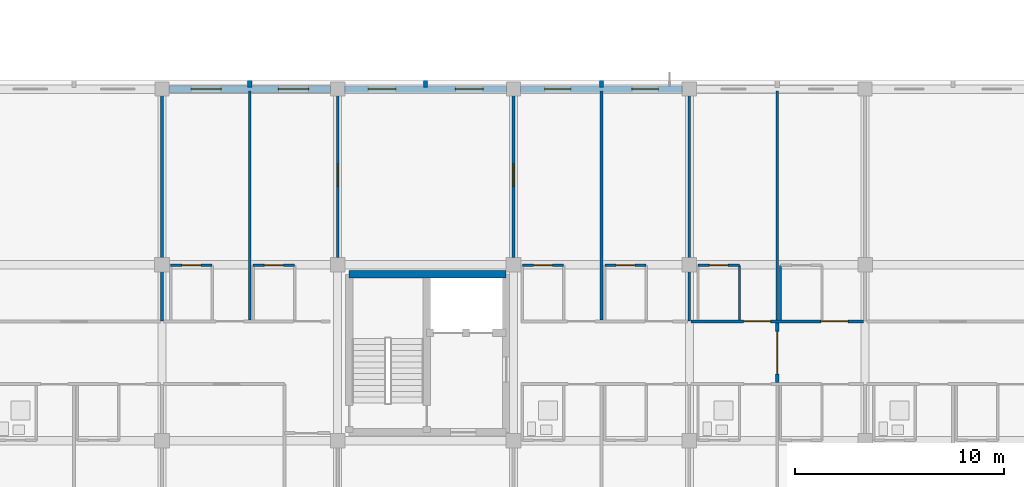
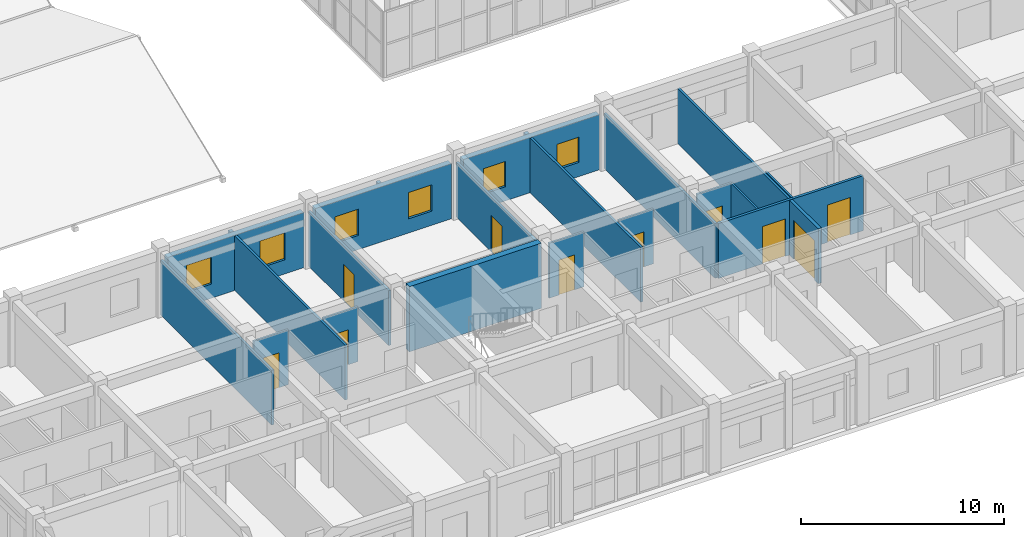
# One storey, part 109 of 140: 23 walls, 10 doors, 6 windows, 16 openings.
"""IFC4 building model written with IfcOpenShell, lengths in metres."""

from ifc_helpers import new_model, si_unit, direction, frame, frame_2d, origin, place, context, subcontext, project, spatial, rectangle, extrude, material, layer, layer_set, type_object, element, fill, save


model = new_model("IFC4")

# Units and contexts
model_context = context("Model", 3, precision=1e-05, world=origin(), true_north=direction((0.0, 1.0)))
body_context = subcontext(model_context, "Body", "Model", "MODEL_VIEW")
ifc_project = project(units=[si_unit("LENGTHUNIT", "METRE"), si_unit("AREAUNIT", "SQUARE_METRE"), si_unit("VOLUMEUNIT", "CUBIC_METRE"), si_unit("PLANEANGLEUNIT", "RADIAN"), si_unit("MASSUNIT", "GRAM", prefix="KILO")], contexts=[model_context])

# Site, building, storey
site_placement = place(None, origin())
site = spatial("IfcSite", under=ifc_project, at=site_placement, CompositionType="ELEMENT")
building_placement = place(site_placement, origin())
building = spatial("IfcBuilding", under=site, at=building_placement, Name="Trelvath General Hospital", CompositionType="ELEMENT")
storey_placement = place(building_placement, frame((0.0, 0.0, 16.199951171875)))
storey = spatial("IfcBuildingStorey", under=building, at=storey_placement, Name="L04", CompositionType="ELEMENT", Elevation=16.199951171875)

# Walls
ifc_material_1 = material(Name="Precast concrete C40/50", Category="concrete")
ifc_layer_1 = layer(ifc_material_1, 0.199951171875)
ifc_layer_set_1 = layer_set([ifc_layer_1], Name="Precast concrete C40/50")
wall_type_1 = type_object("IfcWallType", Name="BriseSoleilRib 200", PredefinedType="ELEMENTEDWALL", material=ifc_layer_set_1)
for number, where, z_axis, x_axis, name in (
    (1, (37.800048828125, 25.27490234375, 0.0), (0.0, 0.0, 1.0), (0.0, 1.0, 0.0), "Precast Concrete Brise-Soleil Rib Fin L04-317"),
    (2, (46.199951171875, 25.27490234375, 0.0), (0.0, 0.0, 1.0), (0.0, 1.0, 0.0), "Precast Concrete Brise-Soleil Rib Fin L04-320"),
    (3, (54.60009765625, 25.27490234375, 0.0), (0.0, 0.0, 1.0), (0.0, 1.0, 0.0), "Precast Concrete Brise-Soleil Rib Fin L04-323"),
):
    element("IfcWall", number, at=place(storey_placement, frame(where, z_axis=z_axis, x_axis=x_axis)), inside=storey, type_object=wall_type_1, Name=name, PredefinedType="ELEMENTEDWALL", context=body_context, shape_type="SweptSolid", body=[
        extrude(rectangle(XDim=0.340087890625, YDim=0.199951171875, at=frame_2d((0.169921875, 0.0))), origin(), (0.0, 0.0, 1.0), 3.300048828125),
    ])

# Wall, openings, doors
ifc_material_2 = material(Name="Gypsum acoustic steel-stud partition", Category="steel")
ifc_layer_2 = layer(ifc_material_2, 0.14990234375)
ifc_layer_set_2 = layer_set([ifc_layer_2], Name="Gypsum acoustic steel-stud partition")
wall_type_2 = type_object("IfcWallType", Name="ClinicalPartition 150", PredefinedType="PARTITIONING", material=ifc_layer_set_2)
wall_1_placement = place(storey_placement, frame((67.1201171875, 14.10009765625, 0.0), z_axis=(0.0, 0.0, 1.0), x_axis=(-1.0, 0.0, 0.0)))
wall_1 = element("IfcWall", 4, at=wall_1_placement, inside=storey, type_object=wall_type_2, Name="Corridor Partition N L04-1474", PredefinedType="PARTITIONING", context=body_context, shape_type="SweptSolid", body=[
    extrude(rectangle(XDim=8.240234375, YDim=0.14990234375, at=frame_2d((4.1201171875, 0.0))), origin(), (0.0, 0.0, 1.0), 3.300048828125),
])
opening_1_placement = place(wall_1_placement, frame((0.72998046875, 0.0, 0.0)))
opening_1 = element("IfcOpeningElement", 5, at=opening_1_placement, cuts=wall_1, Name="Opening D-4-1026", PredefinedType="OPENING", context=body_context, shape_type="SweptSolid", body=[
    extrude(rectangle(XDim=1.300048828125, YDim=2.25, at=frame_2d((0.64990234375, 1.125))), frame((0.0, 0.0849609375, 0.0), z_axis=(0.0, -1.0, 0.0), x_axis=(1.0, 0.0, 0.0)), (0.0, 0.0, 1.0), 0.169921875),
])
opening_2_placement = place(wall_1_placement, frame((4.429931640625, 0.0, 0.0)))
opening_2 = element("IfcOpeningElement", 6, at=opening_2_placement, cuts=wall_1, Name="Opening D-4-1027", PredefinedType="OPENING", context=body_context, shape_type="SweptSolid", body=[
    extrude(rectangle(XDim=1.300048828125, YDim=2.25, at=frame_2d((0.64990234375, 1.125))), frame((0.0, 0.0849609375, 0.0), z_axis=(0.0, -1.0, 0.0), x_axis=(1.0, 0.0, 0.0)), (0.0, 0.0, 1.0), 0.169921875),
])
ifc_material_3 = material(Name="Hospital bed-leaf timber door", Category="wood")
door_type_1 = type_object("IfcDoorType", Name="Door PatientBed 1300x2250", OperationType="NOTDEFINED", PredefinedType="DOOR", material=ifc_material_3)
door_1_placement = place(opening_1_placement, origin())
door_1 = element("IfcDoor", 7, at=door_1_placement, inside=storey, type_object=door_type_1, Name="Patient Room Door N L04-1026", OperationType="SINGLE_SWING_LEFT", OverallHeight=2.25, OverallWidth=1.300048828125, PredefinedType="DOOR", context=body_context, shape_type="SweptSolid", body=[
    extrude(rectangle(XDim=1.300048828125, YDim=2.25, at=frame_2d((0.64990234375, 1.125))), frame((0.0, 0.02490234375, 0.0), z_axis=(0.0, -1.0, 0.0), x_axis=(1.0, 0.0, 0.0)), (0.0, 0.0, 1.0), 0.050048828125),
])
fill(opening_1, door_1)
door_2_placement = place(opening_2_placement, origin())
door_2 = element("IfcDoor", 8, at=door_2_placement, inside=storey, type_object=door_type_1, Name="Patient Room Door N L04-1027", OperationType="SINGLE_SWING_LEFT", OverallHeight=2.25, OverallWidth=1.300048828125, PredefinedType="DOOR", context=body_context, shape_type="SweptSolid", body=[
    extrude(rectangle(XDim=1.300048828125, YDim=2.25, at=frame_2d((0.64990234375, 1.125))), frame((0.0, 0.02490234375, 0.0), z_axis=(0.0, -1.0, 0.0), x_axis=(1.0, 0.0, 0.0)), (0.0, 0.0, 1.0), 0.050048828125),
])
fill(opening_2, door_2)

# Wall
ifc_material_4 = material(Name="Concrete C40/50", Category="concrete")
ifc_layer_3 = layer(ifc_material_4, 0.35009765625)
ifc_layer_set_3 = layer_set([ifc_layer_3], Name="Concrete C40/50")
wall_type_3 = type_object("IfcWallType", Name="CoreShearWall 350", PredefinedType="SHEAR", material=ifc_layer_set_3)
wall_2_placement = place(storey_placement, frame((42.550048828125, 16.35009765625, 0.0), z_axis=(0.0, 0.0, 1.0), x_axis=(1.0, 0.0, 0.0)))
element("IfcWall", 9, at=wall_2_placement, inside=storey, type_object=wall_type_3, Name="Core Shear Wall C4 N L04", PredefinedType="SHEAR", context=body_context, shape_type="SweptSolid", body=[
    extrude(rectangle(XDim=7.5, YDim=0.35009765625, at=frame_2d((3.75, 0.0))), origin(), (0.0, 0.0, 1.0), 3.920166015625),
])

# Wall, opening, door
ifc_material_5 = material(Name="Moisture-resistant tile partition")
ifc_layer_4 = layer(ifc_material_5, 0.110107421875)
ifc_layer_set_4 = layer_set([ifc_layer_4], Name="Moisture-resistant tile partition")
wall_type_4 = type_object("IfcWallType", Name="EnSuiteWetWall 110", PredefinedType="PARTITIONING", material=ifc_layer_set_4)
wall_3_placement = place(storey_placement, frame((34.02001953125, 16.780029296875, 0.0), z_axis=(0.0, 0.0, 1.0), x_axis=(1.0, 0.0, 0.0)))
wall_3 = element("IfcWall", 10, at=wall_3_placement, inside=storey, type_object=wall_type_4, Name="En-Suite Bathroom N Partition L04-1439", PredefinedType="PARTITIONING", context=body_context, shape_type="SweptSolid", body=[
    extrude(rectangle(XDim=1.97998046875, YDim=0.110107421875, at=frame_2d((0.989990234375, 0.0))), origin(), (0.0, 0.0, 1.0), 3.300048828125),
])
opening_3_placement = place(wall_3_placement, frame((0.5400390625, 0.0, 0.0)))
opening_3 = element("IfcOpeningElement", 11, at=opening_3_placement, cuts=wall_3, Name="Opening D-4-1008", PredefinedType="OPENING", context=body_context, shape_type="SweptSolid", body=[
    extrude(rectangle(XDim=0.89990234375, YDim=2.10009765625, at=frame_2d((0.449951171875, 1.050048828125))), frame((0.0, 0.06494140625, 0.0), z_axis=(0.0, -1.0, 0.0), x_axis=(1.0, 0.0, 0.0)), (0.0, 0.0, 1.0), 0.130126953125),
])
ifc_material_6 = material(Name="Moisture-sealed timber leaf", Category="wood")
door_type_2 = type_object("IfcDoorType", Name="Door EnSuite 900x2100", OperationType="NOTDEFINED", PredefinedType="DOOR", material=ifc_material_6)
door_3_placement = place(opening_3_placement, origin())
door_3 = element("IfcDoor", 12, at=door_3_placement, inside=storey, type_object=door_type_2, Name="En-Suite Bathroom N Door L04-1008", OperationType="SINGLE_SWING_RIGHT", OverallHeight=2.10009765625, OverallWidth=0.89990234375, PredefinedType="DOOR", context=body_context, shape_type="SweptSolid", body=[
    extrude(rectangle(XDim=0.89990234375, YDim=2.10009765625, at=frame_2d((0.449951171875, 1.050048828125))), frame((0.0, 0.02490234375, 0.0), z_axis=(0.0, -1.0, 0.0), x_axis=(1.0, 0.0, 0.0)), (0.0, 0.0, 1.0), 0.050048828125),
])
fill(opening_3, door_3)

wall_4_placement = place(storey_placement, frame((37.9599609375, 16.780029296875, 0.0), z_axis=(0.0, 0.0, 1.0), x_axis=(1.0, 0.0, 0.0)))
wall_4 = element("IfcWall", 13, at=wall_4_placement, inside=storey, type_object=wall_type_4, Name="En-Suite Bathroom N Partition L04-1442", PredefinedType="PARTITIONING", context=body_context, shape_type="SweptSolid", body=[
    extrude(rectangle(XDim=1.97998046875, YDim=0.110107421875, at=frame_2d((0.989990234375, 0.0))), origin(), (0.0, 0.0, 1.0), 3.300048828125),
])
opening_4_placement = place(wall_4_placement, frame((0.5400390625, 0.0, 0.0)))
opening_4 = element("IfcOpeningElement", 14, at=opening_4_placement, cuts=wall_4, Name="Opening D-4-1009", PredefinedType="OPENING", context=body_context, shape_type="SweptSolid", body=[
    extrude(rectangle(XDim=0.89990234375, YDim=2.10009765625, at=frame_2d((0.449951171875, 1.050048828125))), frame((0.0, 0.06494140625, 0.0), z_axis=(0.0, -1.0, 0.0), x_axis=(1.0, 0.0, 0.0)), (0.0, 0.0, 1.0), 0.130126953125),
])
door_4_placement = place(opening_4_placement, origin())
door_4 = element("IfcDoor", 15, at=door_4_placement, inside=storey, type_object=door_type_2, Name="En-Suite Bathroom N Door L04-1009", OperationType="SINGLE_SWING_LEFT", OverallHeight=2.10009765625, OverallWidth=0.89990234375, PredefinedType="DOOR", context=body_context, shape_type="SweptSolid", body=[
    extrude(rectangle(XDim=0.89990234375, YDim=2.10009765625, at=frame_2d((0.449951171875, 1.050048828125))), frame((0.0, 0.02490234375, 0.0), z_axis=(0.0, -1.0, 0.0), x_axis=(1.0, 0.0, 0.0)), (0.0, 0.0, 1.0), 0.050048828125),
])
fill(opening_4, door_4)

wall_5_placement = place(storey_placement, frame((50.820068359375, 16.780029296875, 0.0), z_axis=(0.0, 0.0, 1.0), x_axis=(1.0, 0.0, 0.0)))
wall_5 = element("IfcWall", 16, at=wall_5_placement, inside=storey, type_object=wall_type_4, Name="En-Suite Bathroom N Partition L04-1460", PredefinedType="PARTITIONING", context=body_context, shape_type="SweptSolid", body=[
    extrude(rectangle(XDim=1.97998046875, YDim=0.110107421875, at=frame_2d((0.989990234375, 0.0))), origin(), (0.0, 0.0, 1.0), 3.300048828125),
])
opening_5_placement = place(wall_5_placement, frame((0.5400390625, 0.0, 0.0)))
opening_5 = element("IfcOpeningElement", 17, at=opening_5_placement, cuts=wall_5, Name="Opening D-4-1020", PredefinedType="OPENING", context=body_context, shape_type="SweptSolid", body=[
    extrude(rectangle(XDim=0.89990234375, YDim=2.10009765625, at=frame_2d((0.449951171875, 1.050048828125))), frame((0.0, 0.06494140625, 0.0), z_axis=(0.0, -1.0, 0.0), x_axis=(1.0, 0.0, 0.0)), (0.0, 0.0, 1.0), 0.130126953125),
])
door_5_placement = place(opening_5_placement, origin())
door_5 = element("IfcDoor", 18, at=door_5_placement, inside=storey, type_object=door_type_2, Name="En-Suite Bathroom N Door L04-1020", OperationType="SINGLE_SWING_LEFT", OverallHeight=2.10009765625, OverallWidth=0.89990234375, PredefinedType="DOOR", context=body_context, shape_type="SweptSolid", body=[
    extrude(rectangle(XDim=0.89990234375, YDim=2.10009765625, at=frame_2d((0.449951171875, 1.050048828125))), frame((0.0, 0.02490234375, 0.0), z_axis=(0.0, -1.0, 0.0), x_axis=(1.0, 0.0, 0.0)), (0.0, 0.0, 1.0), 0.050048828125),
])
fill(opening_5, door_5)

wall_6_placement = place(storey_placement, frame((54.760009765625, 16.780029296875, 0.0), z_axis=(0.0, 0.0, 1.0), x_axis=(1.0, 0.0, 0.0)))
wall_6 = element("IfcWall", 19, at=wall_6_placement, inside=storey, type_object=wall_type_4, Name="En-Suite Bathroom N Partition L04-1463", PredefinedType="PARTITIONING", context=body_context, shape_type="SweptSolid", body=[
    extrude(rectangle(XDim=1.97998046875, YDim=0.110107421875, at=frame_2d((0.989990234375, 0.0))), origin(), (0.0, 0.0, 1.0), 3.300048828125),
])
opening_6_placement = place(wall_6_placement, frame((0.5400390625, 0.0, 0.0)))
opening_6 = element("IfcOpeningElement", 20, at=opening_6_placement, cuts=wall_6, Name="Opening D-4-1021", PredefinedType="OPENING", context=body_context, shape_type="SweptSolid", body=[
    extrude(rectangle(XDim=0.89990234375, YDim=2.10009765625, at=frame_2d((0.449951171875, 1.050048828125))), frame((0.0, 0.06494140625, 0.0), z_axis=(0.0, -1.0, 0.0), x_axis=(1.0, 0.0, 0.0)), (0.0, 0.0, 1.0), 0.130126953125),
])
door_6_placement = place(opening_6_placement, origin())
door_6 = element("IfcDoor", 21, at=door_6_placement, inside=storey, type_object=door_type_2, Name="En-Suite Bathroom N Door L04-1021", OperationType="SINGLE_SWING_RIGHT", OverallHeight=2.10009765625, OverallWidth=0.89990234375, PredefinedType="DOOR", context=body_context, shape_type="SweptSolid", body=[
    extrude(rectangle(XDim=0.89990234375, YDim=2.10009765625, at=frame_2d((0.449951171875, 1.050048828125))), frame((0.0, 0.02490234375, 0.0), z_axis=(0.0, -1.0, 0.0), x_axis=(1.0, 0.0, 0.0)), (0.0, 0.0, 1.0), 0.050048828125),
])
fill(opening_6, door_6)

# Wall
wall_7_placement = place(storey_placement, frame((61.199951171875, 14.169921875, 0.0), z_axis=(0.0, 0.0, 1.0), x_axis=(0.0, 1.0, 0.0)))
element("IfcWall", 22, at=wall_7_placement, inside=storey, type_object=wall_type_4, Name="En-Suite E Wall N L04-1477", PredefinedType="PARTITIONING", context=body_context, shape_type="SweptSolid", body=[
    extrude(rectangle(XDim=2.610107421875, YDim=0.110107421875, at=frame_2d((1.30517578125, 0.0))), origin(), (0.0, 0.0, 1.0), 3.300048828125),
])

# Wall, opening, door
wall_8_placement = place(storey_placement, frame((59.219970703125, 16.780029296875, 0.0), z_axis=(0.0, 0.0, 1.0), x_axis=(1.0, 0.0, 0.0)))
wall_8 = element("IfcWall", 23, at=wall_8_placement, inside=storey, type_object=wall_type_4, Name="En-Suite Bathroom N Partition L04-1478", PredefinedType="PARTITIONING", context=body_context, shape_type="SweptSolid", body=[
    extrude(rectangle(XDim=1.97998046875, YDim=0.110107421875, at=frame_2d((0.989990234375, 0.0))), origin(), (0.0, 0.0, 1.0), 3.300048828125),
])
opening_7_placement = place(wall_8_placement, frame((0.5400390625, 0.0, 0.0)))
opening_7 = element("IfcOpeningElement", 24, at=opening_7_placement, cuts=wall_8, Name="Opening D-4-1028", PredefinedType="OPENING", context=body_context, shape_type="SweptSolid", body=[
    extrude(rectangle(XDim=0.89990234375, YDim=2.10009765625, at=frame_2d((0.449951171875, 1.050048828125))), frame((0.0, 0.06494140625, 0.0), z_axis=(0.0, -1.0, 0.0), x_axis=(1.0, 0.0, 0.0)), (0.0, 0.0, 1.0), 0.130126953125),
])
door_7_placement = place(opening_7_placement, origin())
door_7 = element("IfcDoor", 25, at=door_7_placement, inside=storey, type_object=door_type_2, Name="En-Suite Bathroom N Door L04-1028", OperationType="SINGLE_SWING_RIGHT", OverallHeight=2.10009765625, OverallWidth=0.89990234375, PredefinedType="DOOR", context=body_context, shape_type="SweptSolid", body=[
    extrude(rectangle(XDim=0.89990234375, YDim=2.10009765625, at=frame_2d((0.449951171875, 1.050048828125))), frame((0.0, 0.02490234375, 0.0), z_axis=(0.0, -1.0, 0.0), x_axis=(1.0, 0.0, 0.0)), (0.0, 0.0, 1.0), 0.050048828125),
])
fill(opening_7, door_7)

# Wall
wall_9_placement = place(storey_placement, frame((63.159912109375, 14.169921875, 0.0), z_axis=(0.0, 0.0, 1.0), x_axis=(0.0, 1.0, 0.0)))
element("IfcWall", 26, at=wall_9_placement, inside=storey, type_object=wall_type_4, Name="En-Suite W Wall N L04-1479", PredefinedType="PARTITIONING", context=body_context, shape_type="SweptSolid", body=[
    extrude(rectangle(XDim=2.610107421875, YDim=0.110107421875, at=frame_2d((1.30517578125, 0.0))), origin(), (0.0, 0.0, 1.0), 3.300048828125),
])

# Wall, openings, windows
ifc_material_7 = material(Name="Concrete C35/45", Category="concrete")
ifc_layer_5 = layer(ifc_material_7, 0.320068359375)
ifc_layer_set_5 = layer_set([ifc_layer_5], Name="Concrete C35/45")
wall_type_5 = type_object("IfcWallType", Name="ExtThermalWall 320", PredefinedType="SOLIDWALL", material=ifc_layer_set_5)
wall_10_placement = place(storey_placement, frame((33.93505859375, 25.199951171875, 0.0), z_axis=(0.0, 0.0, 1.0), x_axis=(1.0, 0.0, 0.0)))
wall_10 = element("IfcWall", 27, at=wall_10_placement, inside=storey, type_object=wall_type_5, Name="Exterior Concrete Wall L04-435", PredefinedType="SOLIDWALL", context=body_context, shape_type="SweptSolid", body=[
    extrude(rectangle(XDim=7.72998046875, YDim=0.320068359375, at=frame_2d((3.864990234375, 0.0))), origin(), (0.0, 0.0, 1.0), 3.320068359375),
])
opening_8_placement = place(wall_10_placement, frame((1.057861328125, 0.0, 0.85009765625)))
opening_8 = element("IfcOpeningElement", 28, at=opening_8_placement, cuts=wall_10, Name="Opening WN-4-719", PredefinedType="OPENING", context=body_context, shape_type="SweptSolid", body=[
    extrude(rectangle(XDim=1.43994140625, YDim=1.6201171875, at=frame_2d((0.719970703125, 0.81005859375))), frame((0.0, 0.169921875, 0.0), z_axis=(0.0, -1.0, 0.0), x_axis=(1.0, 0.0, 0.0)), (0.0, 0.0, 1.0), 0.340087890625),
])
opening_9_placement = place(wall_10_placement, frame((5.232177734375, 0.0, 0.85009765625)))
opening_9 = element("IfcOpeningElement", 29, at=opening_9_placement, cuts=wall_10, Name="Opening WN-4-720", PredefinedType="OPENING", context=body_context, shape_type="SweptSolid", body=[
    extrude(rectangle(XDim=1.43994140625, YDim=1.6201171875, at=frame_2d((0.719970703125, 0.81005859375))), frame((0.0, 0.169921875, 0.0), z_axis=(0.0, -1.0, 0.0), x_axis=(1.0, 0.0, 0.0)), (0.0, 0.0, 1.0), 0.340087890625),
])
ifc_material_8 = material(Name="Low-E laminated glass", Category="glass")
window_type_1 = type_object("IfcWindowType", Name="Window Maternity 1440x1620", PartitioningType="DOUBLE_PANEL_VERTICAL", PredefinedType="WINDOW", material=ifc_material_8)
window_1_placement = place(opening_8_placement, origin())
window_1 = element("IfcWindow", 30, at=window_1_placement, inside=storey, type_object=window_type_1, Name="Solar Reveal Window L04-719", OverallHeight=1.6201171875, OverallWidth=1.43994140625, PartitioningType="SINGLE_PANEL", PredefinedType="WINDOW", context=body_context, shape_type="SweptSolid", body=[
    extrude(rectangle(XDim=1.43994140625, YDim=1.6201171875, at=frame_2d((0.719970703125, 0.81005859375))), frame((0.0, 0.030029296875, 0.0), z_axis=(0.0, -1.0, 0.0), x_axis=(1.0, 0.0, 0.0)), (0.0, 0.0, 1.0), 0.06005859375),
])
fill(opening_8, window_1)
window_2_placement = place(opening_9_placement, origin())
window_2 = element("IfcWindow", 31, at=window_2_placement, inside=storey, type_object=window_type_1, Name="Solar Reveal Window L04-720", OverallHeight=1.6201171875, OverallWidth=1.43994140625, PartitioningType="SINGLE_PANEL", PredefinedType="WINDOW", context=body_context, shape_type="SweptSolid", body=[
    extrude(rectangle(XDim=1.43994140625, YDim=1.6201171875, at=frame_2d((0.719970703125, 0.81005859375))), frame((0.0, 0.030029296875, 0.0), z_axis=(0.0, -1.0, 0.0), x_axis=(1.0, 0.0, 0.0)), (0.0, 0.0, 1.0), 0.06005859375),
])
fill(opening_9, window_2)

wall_11_placement = place(storey_placement, frame((42.3349609375, 25.199951171875, 0.0), z_axis=(0.0, 0.0, 1.0), x_axis=(1.0, 0.0, 0.0)))
wall_11 = element("IfcWall", 32, at=wall_11_placement, inside=storey, type_object=wall_type_5, Name="Exterior Concrete Wall L04-438", PredefinedType="SOLIDWALL", context=body_context, shape_type="SweptSolid", body=[
    extrude(rectangle(XDim=7.72998046875, YDim=0.320068359375, at=frame_2d((3.864990234375, 0.0))), origin(), (0.0, 0.0, 1.0), 3.320068359375),
])
opening_10_placement = place(wall_11_placement, frame((1.117919921875, 0.0, 0.85009765625)))
opening_10 = element("IfcOpeningElement", 33, at=opening_10_placement, cuts=wall_11, Name="Opening WN-4-725", PredefinedType="OPENING", context=body_context, shape_type="SweptSolid", body=[
    extrude(rectangle(XDim=1.320068359375, YDim=1.580078125, at=frame_2d((0.66015625, 0.7900390625))), frame((0.0, 0.169921875, 0.0), z_axis=(0.0, -1.0, 0.0), x_axis=(1.0, 0.0, 0.0)), (0.0, 0.0, 1.0), 0.340087890625),
])
opening_11_placement = place(wall_11_placement, frame((5.2919921875, 0.0, 0.85009765625)))
opening_11 = element("IfcOpeningElement", 34, at=opening_11_placement, cuts=wall_11, Name="Opening WN-4-726", PredefinedType="OPENING", context=body_context, shape_type="SweptSolid", body=[
    extrude(rectangle(XDim=1.320068359375, YDim=1.580078125, at=frame_2d((0.66015625, 0.7900390625))), frame((0.0, 0.169921875, 0.0), z_axis=(0.0, -1.0, 0.0), x_axis=(1.0, 0.0, 0.0)), (0.0, 0.0, 1.0), 0.340087890625),
])
ifc_material_9 = material(Name="Low-E laminated glass", Category="glass")
window_type_2 = type_object("IfcWindowType", Name="Window Pediatrics 1320x1580", PartitioningType="DOUBLE_PANEL_VERTICAL", PredefinedType="WINDOW", material=ifc_material_9)
window_3_placement = place(opening_10_placement, origin())
window_3 = element("IfcWindow", 35, at=window_3_placement, inside=storey, type_object=window_type_2, Name="Solar Reveal Window L04-725", OverallHeight=1.580078125, OverallWidth=1.320068359375, PartitioningType="SINGLE_PANEL", PredefinedType="WINDOW", context=body_context, shape_type="SweptSolid", body=[
    extrude(rectangle(XDim=1.320068359375, YDim=1.580078125, at=frame_2d((0.66015625, 0.7900390625))), frame((0.0, 0.030029296875, 0.0), z_axis=(0.0, -1.0, 0.0), x_axis=(1.0, 0.0, 0.0)), (0.0, 0.0, 1.0), 0.06005859375),
])
fill(opening_10, window_3)
window_4_placement = place(opening_11_placement, origin())
window_4 = element("IfcWindow", 36, at=window_4_placement, inside=storey, type_object=window_type_2, Name="Solar Reveal Window L04-726", OverallHeight=1.580078125, OverallWidth=1.320068359375, PartitioningType="SINGLE_PANEL", PredefinedType="WINDOW", context=body_context, shape_type="SweptSolid", body=[
    extrude(rectangle(XDim=1.320068359375, YDim=1.580078125, at=frame_2d((0.66015625, 0.7900390625))), frame((0.0, 0.030029296875, 0.0), z_axis=(0.0, -1.0, 0.0), x_axis=(1.0, 0.0, 0.0)), (0.0, 0.0, 1.0), 0.06005859375),
])
fill(opening_11, window_4)

wall_12_placement = place(storey_placement, frame((50.735107421875, 25.199951171875, 0.0), z_axis=(0.0, 0.0, 1.0), x_axis=(1.0, 0.0, 0.0)))
wall_12 = element("IfcWall", 37, at=wall_12_placement, inside=storey, type_object=wall_type_5, Name="Exterior Concrete Wall L04-441", PredefinedType="SOLIDWALL", context=body_context, shape_type="SweptSolid", body=[
    extrude(rectangle(XDim=7.72998046875, YDim=0.320068359375, at=frame_2d((3.864990234375, 0.0))), origin(), (0.0, 0.0, 1.0), 3.320068359375),
])
opening_12_placement = place(wall_12_placement, frame((1.14794921875, 0.0, 0.85009765625)))
opening_12 = element("IfcOpeningElement", 38, at=opening_12_placement, cuts=wall_12, Name="Opening WN-4-731", PredefinedType="OPENING", context=body_context, shape_type="SweptSolid", body=[
    extrude(rectangle(XDim=1.260009765625, YDim=1.52001953125, at=frame_2d((0.6298828125, 0.760009765625))), frame((0.0, 0.169921875, 0.0), z_axis=(0.0, -1.0, 0.0), x_axis=(1.0, 0.0, 0.0)), (0.0, 0.0, 1.0), 0.340087890625),
])
opening_13_placement = place(wall_12_placement, frame((5.322021484375, 0.0, 0.85009765625)))
opening_13 = element("IfcOpeningElement", 39, at=opening_13_placement, cuts=wall_12, Name="Opening WN-4-732", PredefinedType="OPENING", context=body_context, shape_type="SweptSolid", body=[
    extrude(rectangle(XDim=1.260009765625, YDim=1.52001953125, at=frame_2d((0.6298828125, 0.760009765625))), frame((0.0, 0.169921875, 0.0), z_axis=(0.0, -1.0, 0.0), x_axis=(1.0, 0.0, 0.0)), (0.0, 0.0, 1.0), 0.340087890625),
])
ifc_material_10 = material(Name="Low-E laminated glass", Category="glass")
window_type_3 = type_object("IfcWindowType", Name="Window Oncology 1260x1520", PartitioningType="SINGLE_PANEL", PredefinedType="WINDOW", material=ifc_material_10)
window_5_placement = place(opening_12_placement, origin())
window_5 = element("IfcWindow", 40, at=window_5_placement, inside=storey, type_object=window_type_3, Name="Solar Reveal Window L04-731", OverallHeight=1.52001953125, OverallWidth=1.260009765625, PartitioningType="SINGLE_PANEL", PredefinedType="WINDOW", context=body_context, shape_type="SweptSolid", body=[
    extrude(rectangle(XDim=1.260009765625, YDim=1.52001953125, at=frame_2d((0.6298828125, 0.760009765625))), frame((0.0, 0.030029296875, 0.0), z_axis=(0.0, -1.0, 0.0), x_axis=(1.0, 0.0, 0.0)), (0.0, 0.0, 1.0), 0.06005859375),
])
fill(opening_12, window_5)
window_6_placement = place(opening_13_placement, origin())
window_6 = element("IfcWindow", 41, at=window_6_placement, inside=storey, type_object=window_type_3, Name="Solar Reveal Window L04-732", OverallHeight=1.52001953125, OverallWidth=1.260009765625, PartitioningType="SINGLE_PANEL", PredefinedType="WINDOW", context=body_context, shape_type="SweptSolid", body=[
    extrude(rectangle(XDim=1.260009765625, YDim=1.52001953125, at=frame_2d((0.6298828125, 0.760009765625))), frame((0.0, 0.030029296875, 0.0), z_axis=(0.0, -1.0, 0.0), x_axis=(1.0, 0.0, 0.0)), (0.0, 0.0, 1.0), 0.06005859375),
])
fill(opening_13, window_6)

# Wall, opening, door
ifc_material_11 = material(Name="Masonry fire blockwork", Category="masonry")
ifc_layer_6 = layer(ifc_material_11, 0.179931640625)
ifc_layer_set_6 = layer_set([ifc_layer_6], Name="Masonry fire blockwork")
wall_type_6 = type_object("IfcWallType", Name="SmokeBarrierWall 180", PredefinedType="PARTITIONING", material=ifc_layer_set_6)
wall_13_placement = place(storey_placement, frame((63.0, 11.179931640625, 0.0), z_axis=(0.0, 0.0, 1.0), x_axis=(0.0, 1.0, 0.0)))
wall_13 = element("IfcWall", 42, at=wall_13_placement, inside=storey, type_object=wall_type_6, Name="Smoke Compartment Barrier L04-1482", PredefinedType="PARTITIONING", context=body_context, shape_type="SweptSolid", body=[
    extrude(rectangle(XDim=2.840087890625, YDim=0.179931640625, at=frame_2d((1.419921875, 0.0))), origin(), (0.0, 0.0, 1.0), 3.300048828125),
])
opening_14_placement = place(wall_13_placement, frame((0.39501953125, 0.0, 0.0)))
opening_14 = element("IfcOpeningElement", 43, at=opening_14_placement, cuts=wall_13, Name="Opening SD-4-1030", PredefinedType="OPENING", context=body_context, shape_type="SweptSolid", body=[
    extrude(rectangle(XDim=2.050048828125, YDim=2.35009765625, at=frame_2d((1.02490234375, 1.175048828125))), frame((0.0, 0.099853515625, 0.0), z_axis=(0.0, -1.0, 0.0), x_axis=(1.0, 0.0, 0.0)), (0.0, 0.0, 1.0), 0.199951171875),
])
ifc_material_12 = material(Name="Fire-rated steel cross-corridor pair", Category="steel")
door_type_3 = type_object("IfcDoorType", Name="Door SmokeCross 2050x2350", OperationType="DOUBLE_SWING_LEFT", PredefinedType="DOOR", material=ifc_material_12)
door_8_placement = place(opening_14_placement, origin())
door_8 = element("IfcDoor", 44, at=door_8_placement, inside=storey, type_object=door_type_3, Name="Cross-Corridor Smoke Door L04-1030", OperationType="SLIDING_TO_LEFT", OverallHeight=2.35009765625, OverallWidth=2.050048828125, PredefinedType="DOOR", context=body_context, shape_type="SweptSolid", body=[
    extrude(rectangle(XDim=2.050048828125, YDim=2.35009765625, at=frame_2d((1.02490234375, 1.175048828125))), frame((0.0, 0.02490234375, 0.0), z_axis=(0.0, -1.0, 0.0), x_axis=(1.0, 0.0, 0.0)), (0.0, 0.0, 1.0), 0.050048828125),
])
fill(opening_14, door_8)

# Walls
ifc_material_13 = material(Name="Gypsum acoustic steel-stud partition", Category="steel")
ifc_layer_7 = layer(ifc_material_13, 0.1298828125)
ifc_layer_set_7 = layer_set([ifc_layer_7], Name="Gypsum acoustic steel-stud partition")
wall_type_7 = type_object("IfcWallType", Name="WardPartition 130", PredefinedType="PARTITIONING", material=ifc_layer_set_7)
wall_14_placement = place(storey_placement, frame((33.60009765625, 14.1201171875, 0.0), z_axis=(0.0, 0.0, 1.0), x_axis=(0.0, 1.0, 0.0)))
element("IfcWall", 45, at=wall_14_placement, inside=storey, type_object=wall_type_7, Name="Inter-Bay Ward Partition N L04-1431", PredefinedType="PARTITIONING", context=body_context, shape_type="SweptSolid", body=[
    extrude(rectangle(XDim=10.93994140625, YDim=0.1298828125, at=frame_2d((5.469970703125, 0.0))), origin(), (0.0, 0.0, 1.0), 3.300048828125),
])
wall_15_placement = place(storey_placement, frame((37.800048828125, 14.169921875, 0.0), z_axis=(0.0, 0.0, 1.0), x_axis=(0.0, 1.0, 0.0)))
element("IfcWall", 46, at=wall_15_placement, inside=storey, type_object=wall_type_7, Name="Room Dividing Partition N L04-1436", PredefinedType="PARTITIONING", context=body_context, shape_type="SweptSolid", body=[
    extrude(rectangle(XDim=10.93017578125, YDim=0.1298828125, at=frame_2d((5.465087890625, 0.0))), origin(), (0.0, 0.0, 1.0), 3.300048828125),
])

# Wall, opening, door
wall_16_placement = place(storey_placement, frame((42.0, 17.14990234375, 0.0), z_axis=(0.0, 0.0, 1.0), x_axis=(0.0, 1.0, 0.0)))
wall_16 = element("IfcWall", 47, at=wall_16_placement, inside=storey, type_object=wall_type_7, Name="Inter-Bay Ward Partition N L04-1444", PredefinedType="PARTITIONING", context=body_context, shape_type="SweptSolid", body=[
    extrude(rectangle(XDim=7.91015625, YDim=0.1298828125, at=frame_2d((3.955078125, 0.0))), origin(), (0.0, 0.0, 1.0), 3.300048828125),
])
opening_15_placement = place(wall_16_placement, frame((3.39990234375, 0.0, 0.0)))
opening_15 = element("IfcOpeningElement", 48, at=opening_15_placement, cuts=wall_16, Name="Opening D-4-1011", PredefinedType="OPENING", context=body_context, shape_type="SweptSolid", body=[
    extrude(rectangle(XDim=1.050048828125, YDim=2.199951171875, at=frame_2d((0.52490234375, 1.10009765625))), frame((0.0, 0.074951171875, 0.0), z_axis=(0.0, -1.0, 0.0), x_axis=(1.0, 0.0, 0.0)), (0.0, 0.0, 1.0), 0.14990234375),
])
ifc_material_14 = material(Name="Acoustic hospital timber leaf", Category="wood")
door_type_4 = type_object("IfcDoorType", Name="Door Consult 1050x2200", OperationType="NOTDEFINED", PredefinedType="DOOR", material=ifc_material_14)
door_9_placement = place(opening_15_placement, origin())
door_9 = element("IfcDoor", 49, at=door_9_placement, inside=storey, type_object=door_type_4, Name="Consultation Connecting Door L04-1011", OperationType="SINGLE_SWING_LEFT", OverallHeight=2.199951171875, OverallWidth=1.050048828125, PredefinedType="DOOR", context=body_context, shape_type="SweptSolid", body=[
    extrude(rectangle(XDim=1.050048828125, YDim=2.199951171875, at=frame_2d((0.52490234375, 1.10009765625))), frame((0.0, 0.02490234375, 0.0), z_axis=(0.0, -1.0, 0.0), x_axis=(1.0, 0.0, 0.0)), (0.0, 0.0, 1.0), 0.050048828125),
])
fill(opening_15, door_9)

wall_17_placement = place(storey_placement, frame((50.39990234375, 17.14990234375, 0.0), z_axis=(0.0, 0.0, 1.0), x_axis=(0.0, 1.0, 0.0)))
wall_17 = element("IfcWall", 50, at=wall_17_placement, inside=storey, type_object=wall_type_7, Name="Inter-Bay Ward Partition N L04-1446", PredefinedType="PARTITIONING", context=body_context, shape_type="SweptSolid", body=[
    extrude(rectangle(XDim=7.91015625, YDim=0.1298828125, at=frame_2d((3.955078125, 0.0))), origin(), (0.0, 0.0, 1.0), 3.300048828125),
])
opening_16_placement = place(wall_17_placement, frame((3.39990234375, 0.0, 0.0)))
opening_16 = element("IfcOpeningElement", 51, at=opening_16_placement, cuts=wall_17, Name="Opening D-4-1013", PredefinedType="OPENING", context=body_context, shape_type="SweptSolid", body=[
    extrude(rectangle(XDim=1.050048828125, YDim=2.199951171875, at=frame_2d((0.52490234375, 1.10009765625))), frame((0.0, 0.074951171875, 0.0), z_axis=(0.0, -1.0, 0.0), x_axis=(1.0, 0.0, 0.0)), (0.0, 0.0, 1.0), 0.14990234375),
])
door_10_placement = place(opening_16_placement, origin())
door_10 = element("IfcDoor", 52, at=door_10_placement, inside=storey, type_object=door_type_4, Name="Consultation Connecting Door L04-1013", OperationType="SINGLE_SWING_LEFT", OverallHeight=2.199951171875, OverallWidth=1.050048828125, PredefinedType="DOOR", context=body_context, shape_type="SweptSolid", body=[
    extrude(rectangle(XDim=1.050048828125, YDim=2.199951171875, at=frame_2d((0.52490234375, 1.10009765625))), frame((0.0, 0.02490234375, 0.0), z_axis=(0.0, -1.0, 0.0), x_axis=(1.0, 0.0, 0.0)), (0.0, 0.0, 1.0), 0.050048828125),
])
fill(opening_16, door_10)

# Walls
wall_18_placement = place(storey_placement, frame((54.60009765625, 14.169921875, 0.0), z_axis=(0.0, 0.0, 1.0), x_axis=(0.0, 1.0, 0.0)))
element("IfcWall", 53, at=wall_18_placement, inside=storey, type_object=wall_type_7, Name="Room Dividing Partition N L04-1457", PredefinedType="PARTITIONING", context=body_context, shape_type="SweptSolid", body=[
    extrude(rectangle(XDim=10.93017578125, YDim=0.1298828125, at=frame_2d((5.465087890625, 0.0))), origin(), (0.0, 0.0, 1.0), 3.300048828125),
])
wall_19_placement = place(storey_placement, frame((58.800048828125, 14.1201171875, 0.0), z_axis=(0.0, 0.0, 1.0), x_axis=(0.0, 1.0, 0.0)))
element("IfcWall", 54, at=wall_19_placement, inside=storey, type_object=wall_type_7, Name="Inter-Bay Ward Partition N L04-1465", PredefinedType="PARTITIONING", context=body_context, shape_type="SweptSolid", body=[
    extrude(rectangle(XDim=10.93994140625, YDim=0.1298828125, at=frame_2d((5.469970703125, 0.0))), origin(), (0.0, 0.0, 1.0), 3.300048828125),
])
wall_20_placement = place(storey_placement, frame((63.0, 14.169921875, 0.0), z_axis=(0.0, 0.0, 1.0), x_axis=(0.0, 1.0, 0.0)))
element("IfcWall", 55, at=wall_20_placement, inside=storey, type_object=wall_type_7, Name="Room Dividing Partition N L04-1475", PredefinedType="PARTITIONING", context=body_context, shape_type="SweptSolid", body=[
    extrude(rectangle(XDim=10.93017578125, YDim=0.1298828125, at=frame_2d((5.465087890625, 0.0))), origin(), (0.0, 0.0, 1.0), 3.300048828125),
])

save(model, "model.ifc")
